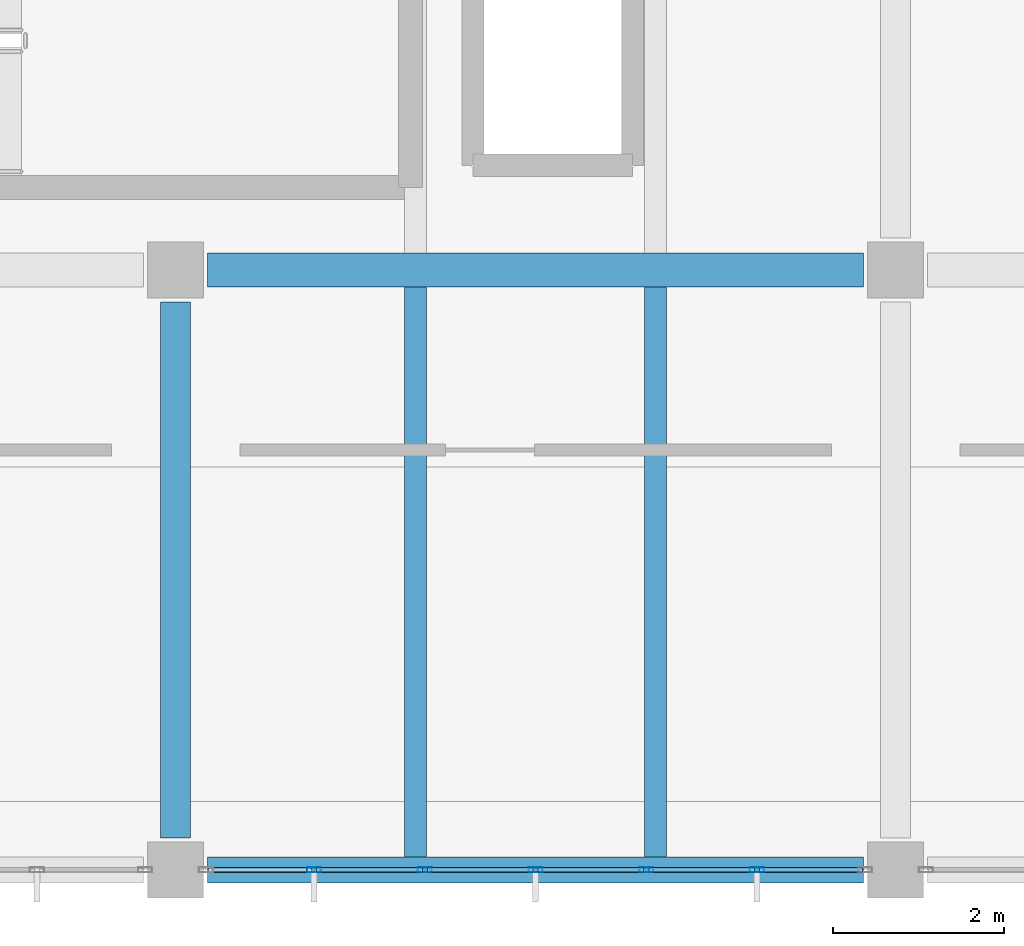
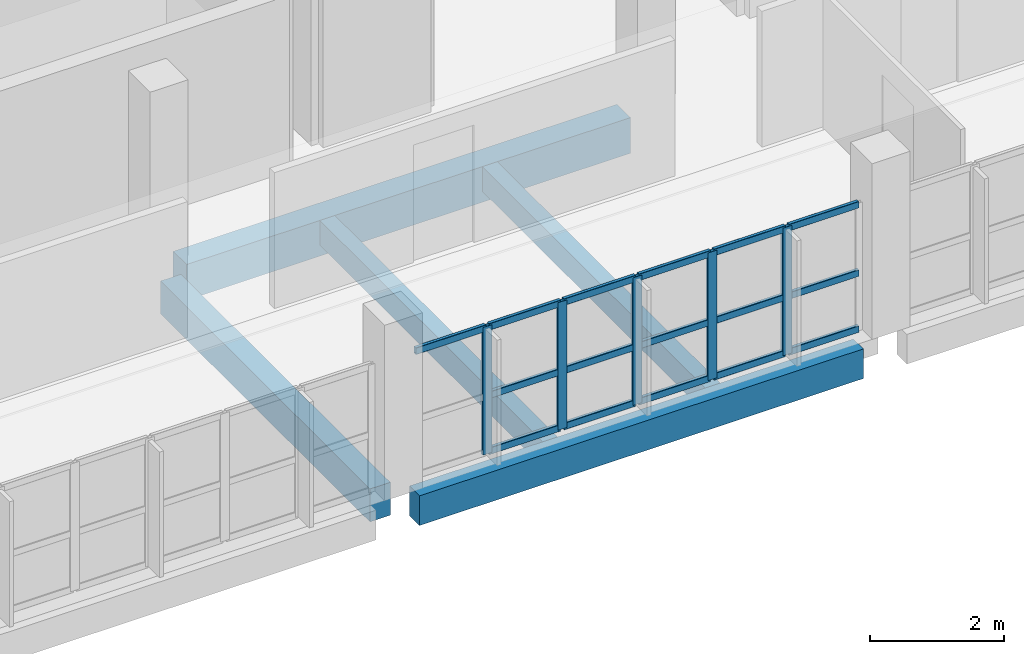
# One storey, part 3 of 33: 21 members, 5 beams, 1 element without a shape of its own.
"""IFC4 building model written with IfcOpenShell, lengths in metres."""

from ifc_helpers import new_model, si_unit, direction, frame, origin, origin_2d, place, context, subcontext, project, spatial, rectangle, hollow_rectangle, extrude, material, layer, layer_set, material_profile, profile_set, type_object, element, aggregate, save


model = new_model("IFC4")

# Units and contexts
model_context = context("Model", 3, precision=1e-05, world=origin(), true_north=direction((0.0, 1.0)))
body_context = subcontext(model_context, "Body", "Model", "MODEL_VIEW")
ifc_project = project(units=[si_unit("LENGTHUNIT", "METRE"), si_unit("AREAUNIT", "SQUARE_METRE"), si_unit("VOLUMEUNIT", "CUBIC_METRE"), si_unit("PLANEANGLEUNIT", "RADIAN"), si_unit("MASSUNIT", "GRAM", prefix="KILO"), si_unit("THERMODYNAMICTEMPERATUREUNIT", "KELVIN"), si_unit("POWERUNIT", "WATT")], contexts=[model_context])

# Site, building, storey
site_placement = place(None, origin())
site = spatial("IfcSite", under=ifc_project, at=site_placement, CompositionType="ELEMENT")
building_placement = place(site_placement, origin())
building = spatial("IfcBuilding", under=site, at=building_placement, Name="Mavoryth Pier Ferry Terminal", CompositionType="ELEMENT")
storey_placement = place(building_placement, frame((0.0, 0.0, 13.1201171875)))
storey = spatial("IfcBuildingStorey", under=building, at=storey_placement, Name="L03", CompositionType="ELEMENT", Elevation=13.1201171875)

# Beams
ifc_material_1 = material(Name="Concrete C35/45", Category="concrete")
ifc_material_profile_1 = material_profile(ifc_material_1, rectangle(XDim=0.35009765625, YDim=0.60009765625, at=origin_2d()), Name="RC 350x600", Category="concrete")
ifc_profile_set_1 = profile_set([ifc_material_profile_1], Name="Concrete C35/45 - RC 350x600")
beam_type_1 = type_object("IfcBeamType", Name="Girder-RC-350x600", PredefinedType="BEAM", material=ifc_profile_set_1)
beam_1_placement = place(storey_placement, frame((50.39990234375, 0.375, -0.56005859375), z_axis=(0.0, 1.0, 0.0), x_axis=(-1.0, 0.0, 0.0)))
element("IfcBeam", 1, at=beam_1_placement, inside=storey, type_object=beam_type_1, Name="Beam B03-BG08-1260", PredefinedType="BEAM", context=body_context, shape_type="SweptSolid", body=[
    extrude(rectangle(XDim=0.35009765625, YDim=0.60009765625, at=origin_2d()), origin(), (0.0, 0.0, 1.0), 6.25),
])
ifc_material_profile_2 = material_profile(ifc_material_1, rectangle(XDim=0.39990234375, YDim=0.64990234375, at=origin_2d()), Name="RC 400x650", Category="concrete")
ifc_profile_set_2 = profile_set([ifc_material_profile_2], Name="Concrete C35/45 - RC 400x650")
beam_type_2 = type_object("IfcBeamType", Name="Girder-RC-400x650", PredefinedType="BEAM", material=ifc_profile_set_2)
beam_2_placement = place(storey_placement, frame((50.77490234375, 7.0, -0.585205078125), z_axis=(1.0, 0.0, 0.0), x_axis=(0.0, 1.0, 0.0)))
element("IfcBeam", 2, at=beam_2_placement, inside=storey, type_object=beam_type_2, Name="Beam B03-BG05-1240", PredefinedType="BEAM", context=body_context, shape_type="SweptSolid", body=[
    extrude(rectangle(XDim=0.39990234375, YDim=0.64990234375, at=origin_2d()), origin(), (0.0, 0.0, 1.0), 7.650146484375),
])
ifc_material_profile_3 = material_profile(ifc_material_1, rectangle(XDim=0.260009765625, YDim=0.449951171875, at=origin_2d()), Name="RC 260x450", Category="concrete")
ifc_profile_set_3 = profile_set([ifc_material_profile_3], Name="Concrete C35/45 - RC 260x450")
beam_type_3 = type_object("IfcBeamType", Name="Joist-RC-260x450", PredefinedType="JOIST", material=ifc_profile_set_3)
for number, where, z_axis, x_axis, name in (
    (3, (53.199951171875, 0.14990234375, -0.485107421875), (0.0, 1.0, 0.0), (-1.0, 0.0, 0.0), "Beam B03-BJ03-1282"),
    (4, (56.0, 0.14990234375, -0.485107421875), (0.0, 1.0, 0.0), (-1.0, 0.0, 0.0), "Beam B03-BJ03-1283"),
):
    element("IfcBeam", number, at=place(storey_placement, frame(where, z_axis=z_axis, x_axis=x_axis)), inside=storey, type_object=beam_type_3, Name=name, PredefinedType="JOIST", context=body_context, shape_type="SweptSolid", body=[
        extrude(rectangle(XDim=0.260009765625, YDim=0.449951171875, at=origin_2d()), origin(), (0.0, 0.0, 1.0), 6.650146484375),
    ])

# Curtain wall, members
ifc_material_2 = material(Name="Anodised Aluminium and Solar-Control Low-E Glass", Category="aluminium")
ifc_layer = layer(ifc_material_2, 0.239990234375, Name="Anodised Aluminium and Solar-Control Low-E Glass", Category="aluminium")
ifc_layer_set = layer_set([ifc_layer], Name="Anodised Aluminium and Solar-Control Low-E Glass - CW-Operations-Mod1200")
curtain_wall_type = type_object("IfcCurtainWallType", Name="CW-Operations-Mod1200", PredefinedType="USERDEFINED", material=ifc_layer_set)
curtain_wall_placement = place(storey_placement, origin())
curtain_wall = element("IfcCurtainWall", 5, at=curtain_wall_placement, inside=storey, type_object=curtain_wall_type, Name="Curtain Wall CW-0322-138", ObjectType="UNITISED CURTAIN WALL", PredefinedType="USERDEFINED")
ifc_material_3 = material(Name="Anodised Aluminium EN AW-6063", Category="aluminium")
ifc_material_profile_4 = material_profile(ifc_material_3, hollow_rectangle(XDim=0.06005859375, YDim=0.1650390625, WallThickness=0.00390625, InnerFilletRadius=0.00390625, OuterFilletRadius=0.008056640625, at=origin_2d()), Name="AL-MULL 165x60x4", Category="aluminium")
ifc_profile_set_4 = profile_set([ifc_material_profile_4], Name="Anodised Aluminium EN AW-6063 - AL-MULL 165x60x4")
member_type_1 = type_object("IfcMemberType", Name="Mullion-Alum-165x60", PredefinedType="MULLION", material=ifc_profile_set_4)
member_1_placement = place(storey_placement, frame((52.0166015625, 0.0, 0.0), z_axis=(0.0, 0.0, 1.0), x_axis=(0.0, 1.0, 0.0)))
member_1 = element("IfcMember", 6, at=member_1_placement, type_object=member_type_1, Name="CW06 mullion 2", PredefinedType="MULLION", context=body_context, shape_type="SweptSolid", body=[
    extrude(hollow_rectangle(XDim=0.06005859375, YDim=0.1650390625, WallThickness=0.00390625, InnerFilletRadius=0.00390625, OuterFilletRadius=0.008056640625, at=origin_2d()), origin(), (0.0, 0.0, 1.0), 2.324951171875),
])
member_2_placement = place(storey_placement, frame((53.308349609375, 0.0, 0.0), z_axis=(0.0, 0.0, 1.0), x_axis=(0.0, 1.0, 0.0)))
member_2 = element("IfcMember", 7, at=member_2_placement, type_object=member_type_1, Name="CW06 mullion 3", PredefinedType="MULLION", context=body_context, shape_type="SweptSolid", body=[
    extrude(hollow_rectangle(XDim=0.06005859375, YDim=0.1650390625, WallThickness=0.00390625, InnerFilletRadius=0.00390625, OuterFilletRadius=0.008056640625, at=origin_2d()), origin(), (0.0, 0.0, 1.0), 2.324951171875),
])
member_3_placement = place(storey_placement, frame((54.60009765625, 0.0, 0.0), z_axis=(0.0, 0.0, 1.0), x_axis=(0.0, 1.0, 0.0)))
member_3 = element("IfcMember", 8, at=member_3_placement, type_object=member_type_1, Name="CW06 mullion 4", PredefinedType="MULLION", context=body_context, shape_type="SweptSolid", body=[
    extrude(hollow_rectangle(XDim=0.06005859375, YDim=0.1650390625, WallThickness=0.00390625, InnerFilletRadius=0.00390625, OuterFilletRadius=0.008056640625, at=origin_2d()), origin(), (0.0, 0.0, 1.0), 2.324951171875),
])
member_4_placement = place(storey_placement, frame((55.8916015625, 0.0, 0.0), z_axis=(0.0, 0.0, 1.0), x_axis=(0.0, 1.0, 0.0)))
member_4 = element("IfcMember", 9, at=member_4_placement, type_object=member_type_1, Name="CW06 mullion 5", PredefinedType="MULLION", context=body_context, shape_type="SweptSolid", body=[
    extrude(hollow_rectangle(XDim=0.06005859375, YDim=0.1650390625, WallThickness=0.00390625, InnerFilletRadius=0.00390625, OuterFilletRadius=0.008056640625, at=origin_2d()), origin(), (0.0, 0.0, 1.0), 2.324951171875),
])
member_5_placement = place(storey_placement, frame((57.183349609375, 0.0, 0.0), z_axis=(0.0, 0.0, 1.0), x_axis=(0.0, 1.0, 0.0)))
member_5 = element("IfcMember", 10, at=member_5_placement, type_object=member_type_1, Name="CW06 mullion 6", PredefinedType="MULLION", context=body_context, shape_type="SweptSolid", body=[
    extrude(hollow_rectangle(XDim=0.06005859375, YDim=0.1650390625, WallThickness=0.00390625, InnerFilletRadius=0.00390625, OuterFilletRadius=0.008056640625, at=origin_2d()), origin(), (0.0, 0.0, 1.0), 2.324951171875),
])

# Beam
ifc_material_profile_5 = material_profile(ifc_material_1, rectangle(XDim=0.300048828125, YDim=0.5400390625, at=origin_2d()), Name="RC 300x540", Category="concrete")
ifc_profile_set_5 = profile_set([ifc_material_profile_5], Name="Concrete C35/45 - RC 300x540")
beam_type_4 = type_object("IfcBeamType", Name="Spandrel-RC-300x540", PredefinedType="SPANDREL", material=ifc_profile_set_5)
beam_3_placement = place(storey_placement, frame((50.77490234375, 0.0, -0.530029296875), z_axis=(1.0, 0.0, 0.0), x_axis=(0.0, 1.0, 0.0)))
element("IfcBeam", 11, at=beam_3_placement, inside=storey, type_object=beam_type_4, Name="Beam B03-SP02-1234", PredefinedType="SPANDREL", context=body_context, shape_type="SweptSolid", body=[
    extrude(rectangle(XDim=0.300048828125, YDim=0.5400390625, at=origin_2d()), origin(), (0.0, 0.0, 1.0), 7.650146484375),
])

# Member
ifc_material_profile_6 = material_profile(ifc_material_3, hollow_rectangle(XDim=0.06005859375, YDim=0.125, WallThickness=0.00390625, InnerFilletRadius=0.00390625, OuterFilletRadius=0.008056640625, at=origin_2d()), Name="AL-TRAN 125x60x4", Category="aluminium")
ifc_profile_set_6 = profile_set([ifc_material_profile_6], Name="Anodised Aluminium EN AW-6063 - AL-TRAN 125x60x4")
member_type_2 = type_object("IfcMemberType", Name="Transom-Alum-125x60", PredefinedType="USERDEFINED", material=ifc_profile_set_6)
member_6_placement = place(storey_placement, frame((50.784912109375, 0.0, 2.294921875), z_axis=(1.0, 0.0, 0.0), x_axis=(0.0, 1.0, 0.0)))
member_6 = element("IfcMember", 12, at=member_6_placement, type_object=member_type_2, Name="CW06 transom 1.3", ObjectType="TRANSOM", PredefinedType="USERDEFINED", context=body_context, shape_type="SweptSolid", body=[
    extrude(hollow_rectangle(XDim=0.06005859375, YDim=0.125, WallThickness=0.00390625, InnerFilletRadius=0.00390625, OuterFilletRadius=0.008056640625, at=origin_2d()), origin(), (0.0, 0.0, 1.0), 1.20166015625),
])

member_7_placement = place(storey_placement, frame((52.046630859375, 0.0, 0.02978515625), z_axis=(1.0, 0.0, 0.0), x_axis=(0.0, 1.0, 0.0)))
member_7 = element("IfcMember", 13, at=member_7_placement, type_object=member_type_2, Name="CW06 transom 2.1", ObjectType="TRANSOM", PredefinedType="USERDEFINED", context=body_context, shape_type="SweptSolid", body=[
    extrude(hollow_rectangle(XDim=0.06005859375, YDim=0.125, WallThickness=0.00390625, InnerFilletRadius=0.00390625, OuterFilletRadius=0.008056640625, at=origin_2d()), origin(), (0.0, 0.0, 1.0), 1.231689453125),
])

member_8_placement = place(storey_placement, frame((52.046630859375, 0.0, 1.0498046875), z_axis=(1.0, 0.0, 0.0), x_axis=(0.0, 1.0, 0.0)))
member_8 = element("IfcMember", 14, at=member_8_placement, type_object=member_type_2, Name="CW06 transom 2.2", ObjectType="TRANSOM", PredefinedType="USERDEFINED", context=body_context, shape_type="SweptSolid", body=[
    extrude(hollow_rectangle(XDim=0.06005859375, YDim=0.125, WallThickness=0.00390625, InnerFilletRadius=0.00390625, OuterFilletRadius=0.008056640625, at=origin_2d()), origin(), (0.0, 0.0, 1.0), 1.231689453125),
])

member_9_placement = place(storey_placement, frame((52.046630859375, 0.0, 2.294921875), z_axis=(1.0, 0.0, 0.0), x_axis=(0.0, 1.0, 0.0)))
member_9 = element("IfcMember", 15, at=member_9_placement, type_object=member_type_2, Name="CW06 transom 2.3", ObjectType="TRANSOM", PredefinedType="USERDEFINED", context=body_context, shape_type="SweptSolid", body=[
    extrude(hollow_rectangle(XDim=0.06005859375, YDim=0.125, WallThickness=0.00390625, InnerFilletRadius=0.00390625, OuterFilletRadius=0.008056640625, at=origin_2d()), origin(), (0.0, 0.0, 1.0), 1.231689453125),
])

member_10_placement = place(storey_placement, frame((53.33837890625, 0.0, 0.02978515625), z_axis=(1.0, 0.0, 0.0), x_axis=(0.0, 1.0, 0.0)))
member_10 = element("IfcMember", 16, at=member_10_placement, type_object=member_type_2, Name="CW06 transom 3.1", ObjectType="TRANSOM", PredefinedType="USERDEFINED", context=body_context, shape_type="SweptSolid", body=[
    extrude(hollow_rectangle(XDim=0.06005859375, YDim=0.125, WallThickness=0.00390625, InnerFilletRadius=0.00390625, OuterFilletRadius=0.008056640625, at=origin_2d()), origin(), (0.0, 0.0, 1.0), 1.231689453125),
])

member_11_placement = place(storey_placement, frame((53.33837890625, 0.0, 1.0498046875), z_axis=(1.0, 0.0, 0.0), x_axis=(0.0, 1.0, 0.0)))
member_11 = element("IfcMember", 17, at=member_11_placement, type_object=member_type_2, Name="CW06 transom 3.2", ObjectType="TRANSOM", PredefinedType="USERDEFINED", context=body_context, shape_type="SweptSolid", body=[
    extrude(hollow_rectangle(XDim=0.06005859375, YDim=0.125, WallThickness=0.00390625, InnerFilletRadius=0.00390625, OuterFilletRadius=0.008056640625, at=origin_2d()), origin(), (0.0, 0.0, 1.0), 1.231689453125),
])

member_12_placement = place(storey_placement, frame((53.33837890625, 0.0, 2.294921875), z_axis=(1.0, 0.0, 0.0), x_axis=(0.0, 1.0, 0.0)))
member_12 = element("IfcMember", 18, at=member_12_placement, type_object=member_type_2, Name="CW06 transom 3.3", ObjectType="TRANSOM", PredefinedType="USERDEFINED", context=body_context, shape_type="SweptSolid", body=[
    extrude(hollow_rectangle(XDim=0.06005859375, YDim=0.125, WallThickness=0.00390625, InnerFilletRadius=0.00390625, OuterFilletRadius=0.008056640625, at=origin_2d()), origin(), (0.0, 0.0, 1.0), 1.231689453125),
])

member_13_placement = place(storey_placement, frame((54.6298828125, 0.0, 0.02978515625), z_axis=(1.0, 0.0, 0.0), x_axis=(0.0, 1.0, 0.0)))
member_13 = element("IfcMember", 19, at=member_13_placement, type_object=member_type_2, Name="CW06 transom 4.1", ObjectType="TRANSOM", PredefinedType="USERDEFINED", context=body_context, shape_type="SweptSolid", body=[
    extrude(hollow_rectangle(XDim=0.06005859375, YDim=0.125, WallThickness=0.00390625, InnerFilletRadius=0.00390625, OuterFilletRadius=0.008056640625, at=origin_2d()), origin(), (0.0, 0.0, 1.0), 1.231689453125),
])

member_14_placement = place(storey_placement, frame((54.6298828125, 0.0, 1.0498046875), z_axis=(1.0, 0.0, 0.0), x_axis=(0.0, 1.0, 0.0)))
member_14 = element("IfcMember", 20, at=member_14_placement, type_object=member_type_2, Name="CW06 transom 4.2", ObjectType="TRANSOM", PredefinedType="USERDEFINED", context=body_context, shape_type="SweptSolid", body=[
    extrude(hollow_rectangle(XDim=0.06005859375, YDim=0.125, WallThickness=0.00390625, InnerFilletRadius=0.00390625, OuterFilletRadius=0.008056640625, at=origin_2d()), origin(), (0.0, 0.0, 1.0), 1.231689453125),
])

member_15_placement = place(storey_placement, frame((54.6298828125, 0.0, 2.294921875), z_axis=(1.0, 0.0, 0.0), x_axis=(0.0, 1.0, 0.0)))
member_15 = element("IfcMember", 21, at=member_15_placement, type_object=member_type_2, Name="CW06 transom 4.3", ObjectType="TRANSOM", PredefinedType="USERDEFINED", context=body_context, shape_type="SweptSolid", body=[
    extrude(hollow_rectangle(XDim=0.06005859375, YDim=0.125, WallThickness=0.00390625, InnerFilletRadius=0.00390625, OuterFilletRadius=0.008056640625, at=origin_2d()), origin(), (0.0, 0.0, 1.0), 1.231689453125),
])

member_16_placement = place(storey_placement, frame((55.921630859375, 0.0, 0.02978515625), z_axis=(1.0, 0.0, 0.0), x_axis=(0.0, 1.0, 0.0)))
member_16 = element("IfcMember", 22, at=member_16_placement, type_object=member_type_2, Name="CW06 transom 5.1", ObjectType="TRANSOM", PredefinedType="USERDEFINED", context=body_context, shape_type="SweptSolid", body=[
    extrude(hollow_rectangle(XDim=0.06005859375, YDim=0.125, WallThickness=0.00390625, InnerFilletRadius=0.00390625, OuterFilletRadius=0.008056640625, at=origin_2d()), origin(), (0.0, 0.0, 1.0), 1.231689453125),
])

member_17_placement = place(storey_placement, frame((55.921630859375, 0.0, 1.0498046875), z_axis=(1.0, 0.0, 0.0), x_axis=(0.0, 1.0, 0.0)))
member_17 = element("IfcMember", 23, at=member_17_placement, type_object=member_type_2, Name="CW06 transom 5.2", ObjectType="TRANSOM", PredefinedType="USERDEFINED", context=body_context, shape_type="SweptSolid", body=[
    extrude(hollow_rectangle(XDim=0.06005859375, YDim=0.125, WallThickness=0.00390625, InnerFilletRadius=0.00390625, OuterFilletRadius=0.008056640625, at=origin_2d()), origin(), (0.0, 0.0, 1.0), 1.231689453125),
])

member_18_placement = place(storey_placement, frame((55.921630859375, 0.0, 2.294921875), z_axis=(1.0, 0.0, 0.0), x_axis=(0.0, 1.0, 0.0)))
member_18 = element("IfcMember", 24, at=member_18_placement, type_object=member_type_2, Name="CW06 transom 5.3", ObjectType="TRANSOM", PredefinedType="USERDEFINED", context=body_context, shape_type="SweptSolid", body=[
    extrude(hollow_rectangle(XDim=0.06005859375, YDim=0.125, WallThickness=0.00390625, InnerFilletRadius=0.00390625, OuterFilletRadius=0.008056640625, at=origin_2d()), origin(), (0.0, 0.0, 1.0), 1.231689453125),
])

member_19_placement = place(storey_placement, frame((57.21337890625, 0.0, 0.02978515625), z_axis=(1.0, 0.0, 0.0), x_axis=(0.0, 1.0, 0.0)))
member_19 = element("IfcMember", 25, at=member_19_placement, type_object=member_type_2, Name="CW06 transom 6.1", ObjectType="TRANSOM", PredefinedType="USERDEFINED", context=body_context, shape_type="SweptSolid", body=[
    extrude(hollow_rectangle(XDim=0.06005859375, YDim=0.125, WallThickness=0.00390625, InnerFilletRadius=0.00390625, OuterFilletRadius=0.008056640625, at=origin_2d()), origin(), (0.0, 0.0, 1.0), 1.20166015625),
])

member_20_placement = place(storey_placement, frame((57.21337890625, 0.0, 1.0498046875), z_axis=(1.0, 0.0, 0.0), x_axis=(0.0, 1.0, 0.0)))
member_20 = element("IfcMember", 26, at=member_20_placement, type_object=member_type_2, Name="CW06 transom 6.2", ObjectType="TRANSOM", PredefinedType="USERDEFINED", context=body_context, shape_type="SweptSolid", body=[
    extrude(hollow_rectangle(XDim=0.06005859375, YDim=0.125, WallThickness=0.00390625, InnerFilletRadius=0.00390625, OuterFilletRadius=0.008056640625, at=origin_2d()), origin(), (0.0, 0.0, 1.0), 1.20166015625),
])

member_21_placement = place(storey_placement, frame((57.21337890625, 0.0, 2.294921875), z_axis=(1.0, 0.0, 0.0), x_axis=(0.0, 1.0, 0.0)))
member_21 = element("IfcMember", 27, at=member_21_placement, type_object=member_type_2, Name="CW06 transom 6.3", ObjectType="TRANSOM", PredefinedType="USERDEFINED", context=body_context, shape_type="SweptSolid", body=[
    extrude(hollow_rectangle(XDim=0.06005859375, YDim=0.125, WallThickness=0.00390625, InnerFilletRadius=0.00390625, OuterFilletRadius=0.008056640625, at=origin_2d()), origin(), (0.0, 0.0, 1.0), 1.20166015625),
])

aggregate(curtain_wall, [member_1, member_2, member_3, member_4, member_5, member_6, member_7, member_8, member_9, member_10, member_11, member_12, member_13, member_14, member_15, member_16, member_17, member_18, member_19, member_20, member_21])

save(model, "model.ifc")
